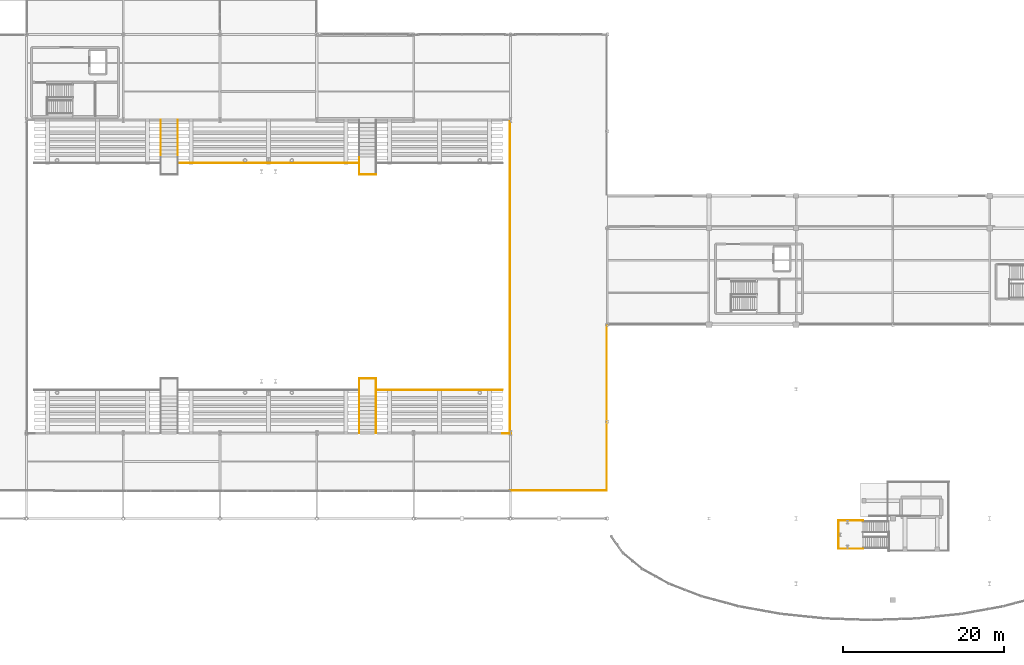
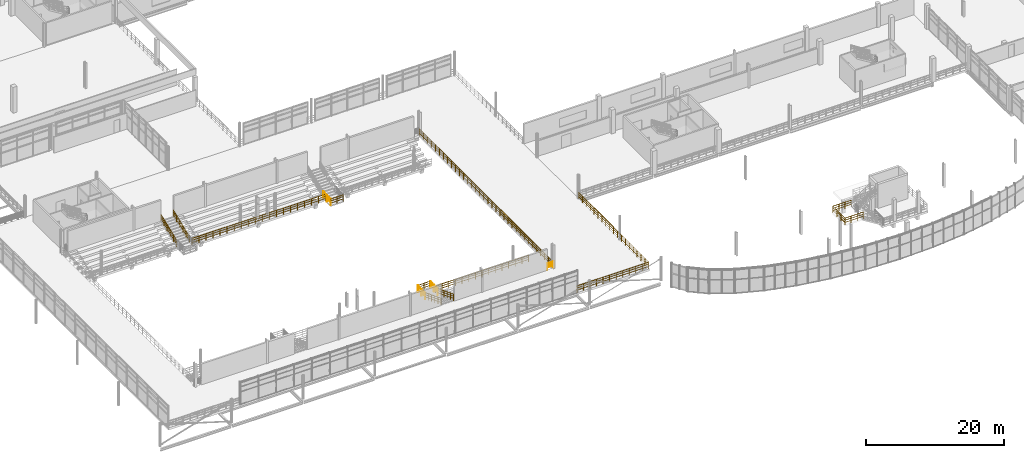
# One storey, part 78 of 89: 18 railings.
"""IFC4 building model written with IfcOpenShell, lengths in metres."""

from ifc_helpers import new_model, si_unit, direction, frame, origin, origin_2d, place, context, subcontext, project, spatial, circle, extrude, material, layer, layer_set, type_object, element, save


model = new_model("IFC4")

# Units and contexts
model_context = context("Model", 3, precision=1e-05, world=origin(), true_north=direction((0.0, 1.0)))
body_context = subcontext(model_context, "Body", "Model", "MODEL_VIEW")
ifc_project = project(units=[si_unit("LENGTHUNIT", "METRE"), si_unit("AREAUNIT", "SQUARE_METRE"), si_unit("VOLUMEUNIT", "CUBIC_METRE"), si_unit("PLANEANGLEUNIT", "RADIAN"), si_unit("MASSUNIT", "GRAM", prefix="KILO"), si_unit("THERMODYNAMICTEMPERATUREUNIT", "KELVIN"), si_unit("POWERUNIT", "WATT")], contexts=[model_context])

# Site, building, storey
site_placement = place(None, origin())
site = spatial("IfcSite", under=ifc_project, at=site_placement, CompositionType="ELEMENT")
building_placement = place(site_placement, origin())
building = spatial("IfcBuilding", under=site, at=building_placement, Name="Solmara Park Aquatics Centre", CompositionType="ELEMENT")
storey_placement = place(building_placement, frame((0.0, 0.0, 5.39990234375)))
storey = spatial("IfcBuildingStorey", under=building, at=storey_placement, Name="L01", CompositionType="ELEMENT", Elevation=5.39990234375)

# Railings
ifc_material_1 = material(Name="Toughened Glass and Stainless Steel Stand Guardrail", Category="steel")
ifc_layer_1 = layer(ifc_material_1, 0.06005859375, Name="Toughened Glass and Stainless Steel Stand Guardrail")
ifc_layer_set_1 = layer_set([ifc_layer_1], Name="Toughened Glass and Stainless Steel Stand Guardrail")
railing_type_1 = type_object("IfcRailingType", Name="ARC-RL-STD110", PredefinedType="GUARDRAIL", material=ifc_layer_set_1)
railing_1_placement = place(storey_placement, frame((43.39990234375, 56.64990234375, -1.7998046875)))
element("IfcRailing", 1, at=railing_1_placement, inside=storey, type_object=railing_type_1, Name="Lower North Stand Front Guardrail 3", PredefinedType="GUARDRAIL", context=body_context, shape_type="SweptSolid", body=[
    extrude(circle(Radius=0.02392578125, at=origin_2d()), frame((0.0, 0.0, 1.15576171875), z_axis=(1.0, 0.0, 0.0), x_axis=(0.0, 1.0, 0.0)), (0.0, 0.0, 1.0), 22.400146484375),
    extrude(circle(Radius=0.01416015625, at=origin_2d()), frame((0.0, 0.0, 0.4130859375), z_axis=(1.0, 0.0, 0.0), x_axis=(0.0, 1.0, 0.0)), (0.0, 0.0, 1.0), 22.400146484375),
    extrude(circle(Radius=0.01416015625, at=origin_2d()), frame((0.0, 0.0, 0.80224609375), z_axis=(1.0, 0.0, 0.0), x_axis=(0.0, 1.0, 0.0)), (0.0, 0.0, 1.0), 22.400146484375),
    extrude(circle(Radius=0.02099609375, at=origin_2d()), origin(), (0.0, 0.0, 1.0), 1.1318359375),
    extrude(circle(Radius=0.02099609375, at=origin_2d()), frame((1.178955078125, 0.0, 0.0)), (0.0, 0.0, 1.0), 1.1318359375),
    extrude(circle(Radius=0.02099609375, at=origin_2d()), frame((2.35791015625, 0.0, 0.0)), (0.0, 0.0, 1.0), 1.1318359375),
    extrude(circle(Radius=0.02099609375, at=origin_2d()), frame((3.536865234375, 0.0, 0.0)), (0.0, 0.0, 1.0), 1.1318359375),
    extrude(circle(Radius=0.02099609375, at=origin_2d()), frame((4.7158203125, 0.0, 0.0)), (0.0, 0.0, 1.0), 1.1318359375),
    extrude(circle(Radius=0.02099609375, at=origin_2d()), frame((5.894775390625, 0.0, 0.0)), (0.0, 0.0, 1.0), 1.1318359375),
    extrude(circle(Radius=0.02099609375, at=origin_2d()), frame((7.07373046875, 0.0, 0.0)), (0.0, 0.0, 1.0), 1.1318359375),
    extrude(circle(Radius=0.02099609375, at=origin_2d()), frame((8.252685546875, 0.0, 0.0)), (0.0, 0.0, 1.0), 1.1318359375),
    extrude(circle(Radius=0.02099609375, at=origin_2d()), frame((9.431640625, 0.0, 0.0)), (0.0, 0.0, 1.0), 1.1318359375),
    extrude(circle(Radius=0.02099609375, at=origin_2d()), frame((10.610595703125, 0.0, 0.0)), (0.0, 0.0, 1.0), 1.1318359375),
    extrude(circle(Radius=0.02099609375, at=origin_2d()), frame((11.78955078125, 0.0, 0.0)), (0.0, 0.0, 1.0), 1.1318359375),
    extrude(circle(Radius=0.02099609375, at=origin_2d()), frame((12.968505859375, 0.0, 0.0)), (0.0, 0.0, 1.0), 1.1318359375),
    extrude(circle(Radius=0.02099609375, at=origin_2d()), frame((14.1474609375, 0.0, 0.0)), (0.0, 0.0, 1.0), 1.1318359375),
    extrude(circle(Radius=0.02099609375, at=origin_2d()), frame((15.326416015625, 0.0, 0.0)), (0.0, 0.0, 1.0), 1.1318359375),
    extrude(circle(Radius=0.02099609375, at=origin_2d()), frame((16.50537109375, 0.0, 0.0)), (0.0, 0.0, 1.0), 1.1318359375),
    extrude(circle(Radius=0.02099609375, at=origin_2d()), frame((17.684326171875, 0.0, 0.0)), (0.0, 0.0, 1.0), 1.1318359375),
    extrude(circle(Radius=0.02099609375, at=origin_2d()), frame((18.86328125, 0.0, 0.0)), (0.0, 0.0, 1.0), 1.1318359375),
    extrude(circle(Radius=0.02099609375, at=origin_2d()), frame((20.042236328125, 0.0, 0.0)), (0.0, 0.0, 1.0), 1.1318359375),
    extrude(circle(Radius=0.02099609375, at=origin_2d()), frame((21.22119140625, 0.0, 0.0)), (0.0, 0.0, 1.0), 1.1318359375),
    extrude(circle(Radius=0.02099609375, at=origin_2d()), frame((22.400146484375, 0.0, 0.0)), (0.0, 0.0, 1.0), 1.1318359375),
])
railing_2_placement = place(storey_placement, frame((68.0, 28.550048828125, -1.7998046875)))
element("IfcRailing", 2, at=railing_2_placement, inside=storey, type_object=railing_type_1, Name="Lower South Stand Front Guardrail 6", PredefinedType="GUARDRAIL", context=body_context, shape_type="SweptSolid", body=[
    extrude(circle(Radius=0.02392578125, at=origin_2d()), frame((0.0, 0.0, 1.15576171875), z_axis=(1.0, 0.0, 0.0), x_axis=(0.0, 1.0, 0.0)), (0.0, 0.0, 1.0), 15.60009765625),
    extrude(circle(Radius=0.01416015625, at=origin_2d()), frame((0.0, 0.0, 0.4130859375), z_axis=(1.0, 0.0, 0.0), x_axis=(0.0, 1.0, 0.0)), (0.0, 0.0, 1.0), 15.60009765625),
    extrude(circle(Radius=0.01416015625, at=origin_2d()), frame((0.0, 0.0, 0.80224609375), z_axis=(1.0, 0.0, 0.0), x_axis=(0.0, 1.0, 0.0)), (0.0, 0.0, 1.0), 15.60009765625),
    extrude(circle(Radius=0.02099609375, at=origin_2d()), origin(), (0.0, 0.0, 1.0), 1.1318359375),
    extrude(circle(Radius=0.02099609375, at=origin_2d()), frame((1.1142578125, 0.0, 0.0)), (0.0, 0.0, 1.0), 1.1318359375),
    extrude(circle(Radius=0.02099609375, at=origin_2d()), frame((2.228515625, 0.0, 0.0)), (0.0, 0.0, 1.0), 1.1318359375),
    extrude(circle(Radius=0.02099609375, at=origin_2d()), frame((3.3427734375, 0.0, 0.0)), (0.0, 0.0, 1.0), 1.1318359375),
    extrude(circle(Radius=0.02099609375, at=origin_2d()), frame((4.457275390625, 0.0, 0.0)), (0.0, 0.0, 1.0), 1.1318359375),
    extrude(circle(Radius=0.02099609375, at=origin_2d()), frame((5.571533203125, 0.0, 0.0)), (0.0, 0.0, 1.0), 1.1318359375),
    extrude(circle(Radius=0.02099609375, at=origin_2d()), frame((6.685791015625, 0.0, 0.0)), (0.0, 0.0, 1.0), 1.1318359375),
    extrude(circle(Radius=0.02099609375, at=origin_2d()), frame((7.800048828125, 0.0, 0.0)), (0.0, 0.0, 1.0), 1.1318359375),
    extrude(circle(Radius=0.02099609375, at=origin_2d()), frame((8.914306640625, 0.0, 0.0)), (0.0, 0.0, 1.0), 1.1318359375),
    extrude(circle(Radius=0.02099609375, at=origin_2d()), frame((10.028564453125, 0.0, 0.0)), (0.0, 0.0, 1.0), 1.1318359375),
    extrude(circle(Radius=0.02099609375, at=origin_2d()), frame((11.142822265625, 0.0, 0.0)), (0.0, 0.0, 1.0), 1.1318359375),
    extrude(circle(Radius=0.02099609375, at=origin_2d()), frame((12.25732421875, 0.0, 0.0)), (0.0, 0.0, 1.0), 1.1318359375),
    extrude(circle(Radius=0.02099609375, at=origin_2d()), frame((13.37158203125, 0.0, 0.0)), (0.0, 0.0, 1.0), 1.1318359375),
    extrude(circle(Radius=0.02099609375, at=origin_2d()), frame((14.48583984375, 0.0, 0.0)), (0.0, 0.0, 1.0), 1.1318359375),
    extrude(circle(Radius=0.02099609375, at=origin_2d()), frame((15.60009765625, 0.0, 0.0)), (0.0, 0.0, 1.0), 1.1318359375),
])
railing_3_placement = place(storey_placement, frame((84.550048828125, 23.25, 0.0)))
element("IfcRailing", 3, at=railing_3_placement, inside=storey, type_object=railing_type_1, Name="Atrium & Gallery Void Guardrail 12", PredefinedType="GUARDRAIL", context=body_context, shape_type="SweptSolid", body=[
    extrude(circle(Radius=0.02392578125, at=origin_2d()), frame((0.0, 0.0, 1.15576171875), z_axis=(0.0, 1.0, 0.0), x_axis=(-1.0, 0.0, 0.0)), (0.0, 0.0, 1.0), 38.699951171875),
    extrude(circle(Radius=0.01416015625, at=origin_2d()), frame((0.0, 0.0, 0.4130859375), z_axis=(0.0, 1.0, 0.0), x_axis=(-1.0, 0.0, 0.0)), (0.0, 0.0, 1.0), 38.699951171875),
    extrude(circle(Radius=0.01416015625, at=origin_2d()), frame((0.0, 0.0, 0.80224609375), z_axis=(0.0, 1.0, 0.0), x_axis=(-1.0, 0.0, 0.0)), (0.0, 0.0, 1.0), 38.699951171875),
    extrude(circle(Radius=0.02099609375, at=origin_2d()), origin(), (0.0, 0.0, 1.0), 1.1318359375),
    extrude(circle(Radius=0.02099609375, at=origin_2d()), frame((0.0, 1.172607421875, 0.0)), (0.0, 0.0, 1.0), 1.1318359375),
    extrude(circle(Radius=0.02099609375, at=origin_2d()), frame((0.0, 2.345458984375, 0.0)), (0.0, 0.0, 1.0), 1.1318359375),
    extrude(circle(Radius=0.02099609375, at=origin_2d()), frame((0.0, 3.51806640625, 0.0)), (0.0, 0.0, 1.0), 1.1318359375),
    extrude(circle(Radius=0.02099609375, at=origin_2d()), frame((0.0, 4.69091796875, 0.0)), (0.0, 0.0, 1.0), 1.1318359375),
    extrude(circle(Radius=0.02099609375, at=origin_2d()), frame((0.0, 5.863525390625, 0.0)), (0.0, 0.0, 1.0), 1.1318359375),
    extrude(circle(Radius=0.02099609375, at=origin_2d()), frame((0.0, 7.036376953125, 0.0)), (0.0, 0.0, 1.0), 1.1318359375),
    extrude(circle(Radius=0.02099609375, at=origin_2d()), frame((0.0, 8.208984375, 0.0)), (0.0, 0.0, 1.0), 1.1318359375),
    extrude(circle(Radius=0.02099609375, at=origin_2d()), frame((0.0, 9.3818359375, 0.0)), (0.0, 0.0, 1.0), 1.1318359375),
    extrude(circle(Radius=0.02099609375, at=origin_2d()), frame((0.0, 10.554443359375, 0.0)), (0.0, 0.0, 1.0), 1.1318359375),
    extrude(circle(Radius=0.02099609375, at=origin_2d()), frame((0.0, 11.727294921875, 0.0)), (0.0, 0.0, 1.0), 1.1318359375),
    extrude(circle(Radius=0.02099609375, at=origin_2d()), frame((0.0, 12.89990234375, 0.0)), (0.0, 0.0, 1.0), 1.1318359375),
    extrude(circle(Radius=0.02099609375, at=origin_2d()), frame((0.0, 14.07275390625, 0.0)), (0.0, 0.0, 1.0), 1.1318359375),
    extrude(circle(Radius=0.02099609375, at=origin_2d()), frame((0.0, 15.245361328125, 0.0)), (0.0, 0.0, 1.0), 1.1318359375),
    extrude(circle(Radius=0.02099609375, at=origin_2d()), frame((0.0, 16.418212890625, 0.0)), (0.0, 0.0, 1.0), 1.1318359375),
    extrude(circle(Radius=0.02099609375, at=origin_2d()), frame((0.0, 17.5908203125, 0.0)), (0.0, 0.0, 1.0), 1.1318359375),
    extrude(circle(Radius=0.02099609375, at=origin_2d()), frame((0.0, 18.763671875, 0.0)), (0.0, 0.0, 1.0), 1.1318359375),
    extrude(circle(Radius=0.02099609375, at=origin_2d()), frame((0.0, 19.936279296875, 0.0)), (0.0, 0.0, 1.0), 1.1318359375),
    extrude(circle(Radius=0.02099609375, at=origin_2d()), frame((0.0, 21.109130859375, 0.0)), (0.0, 0.0, 1.0), 1.1318359375),
    extrude(circle(Radius=0.02099609375, at=origin_2d()), frame((0.0, 22.28173828125, 0.0)), (0.0, 0.0, 1.0), 1.1318359375),
    extrude(circle(Radius=0.02099609375, at=origin_2d()), frame((0.0, 23.45458984375, 0.0)), (0.0, 0.0, 1.0), 1.1318359375),
    extrude(circle(Radius=0.02099609375, at=origin_2d()), frame((0.0, 24.627197265625, 0.0)), (0.0, 0.0, 1.0), 1.1318359375),
    extrude(circle(Radius=0.02099609375, at=origin_2d()), frame((0.0, 25.800048828125, 0.0)), (0.0, 0.0, 1.0), 1.1318359375),
    extrude(circle(Radius=0.02099609375, at=origin_2d()), frame((0.0, 26.97265625, 0.0)), (0.0, 0.0, 1.0), 1.1318359375),
    extrude(circle(Radius=0.02099609375, at=origin_2d()), frame((0.0, 28.1455078125, 0.0)), (0.0, 0.0, 1.0), 1.1318359375),
    extrude(circle(Radius=0.02099609375, at=origin_2d()), frame((0.0, 29.318115234375, 0.0)), (0.0, 0.0, 1.0), 1.1318359375),
    extrude(circle(Radius=0.02099609375, at=origin_2d()), frame((0.0, 30.490966796875, 0.0)), (0.0, 0.0, 1.0), 1.1318359375),
    extrude(circle(Radius=0.02099609375, at=origin_2d()), frame((0.0, 31.66357421875, 0.0)), (0.0, 0.0, 1.0), 1.1318359375),
    extrude(circle(Radius=0.02099609375, at=origin_2d()), frame((0.0, 32.83642578125, 0.0)), (0.0, 0.0, 1.0), 1.1318359375),
    extrude(circle(Radius=0.02099609375, at=origin_2d()), frame((0.0, 34.009033203125, 0.0)), (0.0, 0.0, 1.0), 1.1318359375),
    extrude(circle(Radius=0.02099609375, at=origin_2d()), frame((0.0, 35.181884765625, 0.0)), (0.0, 0.0, 1.0), 1.1318359375),
    extrude(circle(Radius=0.02099609375, at=origin_2d()), frame((0.0, 36.3544921875, 0.0)), (0.0, 0.0, 1.0), 1.1318359375),
    extrude(circle(Radius=0.02099609375, at=origin_2d()), frame((0.0, 37.52734375, 0.0)), (0.0, 0.0, 1.0), 1.1318359375),
    extrude(circle(Radius=0.02099609375, at=origin_2d()), frame((0.0, 38.699951171875, 0.0)), (0.0, 0.0, 1.0), 1.1318359375),
])
railing_4_placement = place(storey_placement, frame((96.5400390625, 36.4736328125, 0.0)))
element("IfcRailing", 4, at=railing_4_placement, inside=storey, type_object=railing_type_1, Name="L01 Slab Edge Guardrail 040", PredefinedType="GUARDRAIL", context=body_context, shape_type="SweptSolid", body=[
    extrude(circle(Radius=0.02392578125, at=origin_2d()), frame((0.0, 0.0, 1.15576171875), z_axis=(0.0, -1.0, 0.0), x_axis=(1.0, 0.0, 0.0)), (0.0, 0.0, 1.0), 20.41357421875),
    extrude(circle(Radius=0.01416015625, at=origin_2d()), frame((0.0, 0.0, 0.4130859375), z_axis=(0.0, -1.0, 0.0), x_axis=(1.0, 0.0, 0.0)), (0.0, 0.0, 1.0), 20.41357421875),
    extrude(circle(Radius=0.01416015625, at=origin_2d()), frame((0.0, 0.0, 0.80224609375), z_axis=(0.0, -1.0, 0.0), x_axis=(1.0, 0.0, 0.0)), (0.0, 0.0, 1.0), 20.41357421875),
    extrude(circle(Radius=0.02099609375, at=origin_2d()), origin(), (0.0, 0.0, 1.0), 1.1318359375),
    extrude(circle(Radius=0.02099609375, at=origin_2d()), frame((0.0, -1.134033203125, 0.0)), (0.0, 0.0, 1.0), 1.1318359375),
    extrude(circle(Radius=0.02099609375, at=origin_2d()), frame((0.0, -2.26806640625, 0.0)), (0.0, 0.0, 1.0), 1.1318359375),
    extrude(circle(Radius=0.02099609375, at=origin_2d()), frame((0.0, -3.40234375, 0.0)), (0.0, 0.0, 1.0), 1.1318359375),
    extrude(circle(Radius=0.02099609375, at=origin_2d()), frame((0.0, -4.536376953125, 0.0)), (0.0, 0.0, 1.0), 1.1318359375),
    extrude(circle(Radius=0.02099609375, at=origin_2d()), frame((0.0, -5.67041015625, 0.0)), (0.0, 0.0, 1.0), 1.1318359375),
    extrude(circle(Radius=0.02099609375, at=origin_2d()), frame((0.0, -6.804443359375, 0.0)), (0.0, 0.0, 1.0), 1.1318359375),
    extrude(circle(Radius=0.02099609375, at=origin_2d()), frame((0.0, -7.938720703125, 0.0)), (0.0, 0.0, 1.0), 1.1318359375),
    extrude(circle(Radius=0.02099609375, at=origin_2d()), frame((0.0, -9.07275390625, 0.0)), (0.0, 0.0, 1.0), 1.1318359375),
    extrude(circle(Radius=0.02099609375, at=origin_2d()), frame((0.0, -10.206787109375, 0.0)), (0.0, 0.0, 1.0), 1.1318359375),
    extrude(circle(Radius=0.02099609375, at=origin_2d()), frame((0.0, -11.3408203125, 0.0)), (0.0, 0.0, 1.0), 1.1318359375),
    extrude(circle(Radius=0.02099609375, at=origin_2d()), frame((0.0, -12.474853515625, 0.0)), (0.0, 0.0, 1.0), 1.1318359375),
    extrude(circle(Radius=0.02099609375, at=origin_2d()), frame((0.0, -13.609130859375, 0.0)), (0.0, 0.0, 1.0), 1.1318359375),
    extrude(circle(Radius=0.02099609375, at=origin_2d()), frame((0.0, -14.7431640625, 0.0)), (0.0, 0.0, 1.0), 1.1318359375),
    extrude(circle(Radius=0.02099609375, at=origin_2d()), frame((0.0, -15.877197265625, 0.0)), (0.0, 0.0, 1.0), 1.1318359375),
    extrude(circle(Radius=0.02099609375, at=origin_2d()), frame((0.0, -17.01123046875, 0.0)), (0.0, 0.0, 1.0), 1.1318359375),
    extrude(circle(Radius=0.02099609375, at=origin_2d()), frame((0.0, -18.1455078125, 0.0)), (0.0, 0.0, 1.0), 1.1318359375),
    extrude(circle(Radius=0.02099609375, at=origin_2d()), frame((0.0, -19.279541015625, 0.0)), (0.0, 0.0, 1.0), 1.1318359375),
    extrude(circle(Radius=0.02099609375, at=origin_2d()), frame((0.0, -20.41357421875, 0.0)), (0.0, 0.0, 1.0), 1.1318359375),
])
railing_5_placement = place(storey_placement, frame((96.5400390625, 16.06005859375, 0.0)))
element("IfcRailing", 5, at=railing_5_placement, inside=storey, type_object=railing_type_1, Name="L01 Slab Edge Guardrail 041", PredefinedType="GUARDRAIL", context=body_context, shape_type="SweptSolid", body=[
    extrude(circle(Radius=0.02392578125, at=origin_2d()), frame((0.0, 0.0, 1.15576171875), z_axis=(-1.0, 0.0, 0.0), x_axis=(0.0, -1.0, 0.0)), (0.0, 0.0, 1.0), 12.0400390625),
    extrude(circle(Radius=0.01416015625, at=origin_2d()), frame((0.0, 0.0, 0.4130859375), z_axis=(-1.0, 0.0, 0.0), x_axis=(0.0, -1.0, 0.0)), (0.0, 0.0, 1.0), 12.0400390625),
    extrude(circle(Radius=0.01416015625, at=origin_2d()), frame((0.0, 0.0, 0.80224609375), z_axis=(-1.0, 0.0, 0.0), x_axis=(0.0, -1.0, 0.0)), (0.0, 0.0, 1.0), 12.0400390625),
    extrude(circle(Radius=0.02099609375, at=origin_2d()), origin(), (0.0, 0.0, 1.0), 1.1318359375),
    extrude(circle(Radius=0.02099609375, at=origin_2d()), frame((-1.094482421875, 0.0, 0.0)), (0.0, 0.0, 1.0), 1.1318359375),
    extrude(circle(Radius=0.02099609375, at=origin_2d()), frame((-2.189208984375, 0.0, 0.0)), (0.0, 0.0, 1.0), 1.1318359375),
    extrude(circle(Radius=0.02099609375, at=origin_2d()), frame((-3.28369140625, 0.0, 0.0)), (0.0, 0.0, 1.0), 1.1318359375),
    extrude(circle(Radius=0.02099609375, at=origin_2d()), frame((-4.378173828125, 0.0, 0.0)), (0.0, 0.0, 1.0), 1.1318359375),
    extrude(circle(Radius=0.02099609375, at=origin_2d()), frame((-5.47265625, 0.0, 0.0)), (0.0, 0.0, 1.0), 1.1318359375),
    extrude(circle(Radius=0.02099609375, at=origin_2d()), frame((-6.5673828125, 0.0, 0.0)), (0.0, 0.0, 1.0), 1.1318359375),
    extrude(circle(Radius=0.02099609375, at=origin_2d()), frame((-7.661865234375, 0.0, 0.0)), (0.0, 0.0, 1.0), 1.1318359375),
    extrude(circle(Radius=0.02099609375, at=origin_2d()), frame((-8.75634765625, 0.0, 0.0)), (0.0, 0.0, 1.0), 1.1318359375),
    extrude(circle(Radius=0.02099609375, at=origin_2d()), frame((-9.850830078125, 0.0, 0.0)), (0.0, 0.0, 1.0), 1.1318359375),
    extrude(circle(Radius=0.02099609375, at=origin_2d()), frame((-10.945556640625, 0.0, 0.0)), (0.0, 0.0, 1.0), 1.1318359375),
    extrude(circle(Radius=0.02099609375, at=origin_2d()), frame((-12.0400390625, 0.0, 0.0)), (0.0, 0.0, 1.0), 1.1318359375),
])
railing_6_placement = place(storey_placement, frame((83.60009765625, 23.139892578125, 0.0)))
element("IfcRailing", 6, at=railing_6_placement, inside=storey, type_object=railing_type_1, Name="L01 Slab Edge Guardrail 044", PredefinedType="GUARDRAIL", context=body_context, shape_type="SweptSolid", body=[
    extrude(circle(Radius=0.02392578125, at=origin_2d()), frame((0.0, 0.0, 1.15576171875), z_axis=(1.0, 0.0, 0.0), x_axis=(0.0, 1.0, 0.0)), (0.0, 0.0, 1.0), 1.059814453125),
    extrude(circle(Radius=0.01416015625, at=origin_2d()), frame((0.0, 0.0, 0.4130859375), z_axis=(1.0, 0.0, 0.0), x_axis=(0.0, 1.0, 0.0)), (0.0, 0.0, 1.0), 1.059814453125),
    extrude(circle(Radius=0.01416015625, at=origin_2d()), frame((0.0, 0.0, 0.80224609375), z_axis=(1.0, 0.0, 0.0), x_axis=(0.0, 1.0, 0.0)), (0.0, 0.0, 1.0), 1.059814453125),
    extrude(circle(Radius=0.02099609375, at=origin_2d()), origin(), (0.0, 0.0, 1.0), 1.1318359375),
    extrude(circle(Radius=0.02099609375, at=origin_2d()), frame((1.059814453125, 0.0, 0.0)), (0.0, 0.0, 1.0), 1.1318359375),
])
ifc_material_2 = material(Name="Brushed Stainless Steel Guardrail", Category="steel")
ifc_layer_2 = layer(ifc_material_2, 0.050048828125, Name="Brushed Stainless Steel Guardrail")
ifc_layer_set_2 = layer_set([ifc_layer_2], Name="Brushed Stainless Steel Guardrail")
railing_type_2 = type_object("IfcRailingType", Name="ARC-RL-STR110", PredefinedType="GUARDRAIL", material=ifc_layer_set_2)
railing_7_placement = place(storey_placement, frame((125.25, 8.85009765625, 2.10009765625)))
element("IfcRailing", 7, at=railing_7_placement, inside=storey, type_object=railing_type_2, Name="Diving Tower Platform Stair DT-02 Half-Landing Outer Guardrail", PredefinedType="GUARDRAIL", context=body_context, shape_type="SweptSolid", body=[
    extrude(circle(Radius=0.02392578125, at=origin_2d()), frame((0.0, 0.0, 1.15576171875), z_axis=(0.0, 1.0, 0.0), x_axis=(-1.0, 0.0, 0.0)), (0.0, 0.0, 1.0), 3.5),
    extrude(circle(Radius=0.01416015625, at=origin_2d()), frame((0.0, 0.0, 0.4130859375), z_axis=(0.0, 1.0, 0.0), x_axis=(-1.0, 0.0, 0.0)), (0.0, 0.0, 1.0), 3.5),
    extrude(circle(Radius=0.01416015625, at=origin_2d()), frame((0.0, 0.0, 0.80224609375), z_axis=(0.0, 1.0, 0.0), x_axis=(-1.0, 0.0, 0.0)), (0.0, 0.0, 1.0), 3.5),
    extrude(circle(Radius=0.02099609375, at=origin_2d()), origin(), (0.0, 0.0, 1.0), 1.1318359375),
    extrude(circle(Radius=0.02099609375, at=origin_2d()), frame((0.0, 1.166748046875, 0.0)), (0.0, 0.0, 1.0), 1.1318359375),
    extrude(circle(Radius=0.02099609375, at=origin_2d()), frame((0.0, 2.333251953125, 0.0)), (0.0, 0.0, 1.0), 1.1318359375),
    extrude(circle(Radius=0.02099609375, at=origin_2d()), frame((0.0, 3.5, 0.0)), (0.0, 0.0, 1.0), 1.1318359375),
])
for number, where, name in (
    (8, (125.25, 8.85009765625, 2.10009765625), "Diving Tower Platform Stair DT-02 Half-Landing Guardrail S"),
    (9, (125.25, 12.35009765625, 2.10009765625), "Diving Tower Platform Stair DT-02 Half-Landing Guardrail N"),
):
    element("IfcRailing", number, at=place(storey_placement, frame(where)), inside=storey, type_object=railing_type_2, Name=name, PredefinedType="GUARDRAIL", context=body_context, shape_type="SweptSolid", body=[
        extrude(circle(Radius=0.02392578125, at=origin_2d()), frame((0.0, 0.0, 1.15576171875), z_axis=(1.0, 0.0, 0.0), x_axis=(0.0, 1.0, 0.0)), (0.0, 0.0, 1.0), 3.080078125),
        extrude(circle(Radius=0.01416015625, at=origin_2d()), frame((0.0, 0.0, 0.4130859375), z_axis=(1.0, 0.0, 0.0), x_axis=(0.0, 1.0, 0.0)), (0.0, 0.0, 1.0), 3.080078125),
        extrude(circle(Radius=0.01416015625, at=origin_2d()), frame((0.0, 0.0, 0.80224609375), z_axis=(1.0, 0.0, 0.0), x_axis=(0.0, 1.0, 0.0)), (0.0, 0.0, 1.0), 3.080078125),
        extrude(circle(Radius=0.02099609375, at=origin_2d()), origin(), (0.0, 0.0, 1.0), 1.1318359375),
        extrude(circle(Radius=0.02099609375, at=origin_2d()), frame((1.026611328125, 0.0, 0.0)), (0.0, 0.0, 1.0), 1.1318359375),
        extrude(circle(Radius=0.02099609375, at=origin_2d()), frame((2.053466796875, 0.0, 0.0)), (0.0, 0.0, 1.0), 1.1318359375),
        extrude(circle(Radius=0.02099609375, at=origin_2d()), frame((3.080078125, 0.0, 0.0)), (0.0, 0.0, 1.0), 1.1318359375),
    ])
for number, where, name in (
    (10, (41.25, 57.35009765625, -1.7998046875), "Vomitory Stair VS-01 Flight Guardrail 1"),
    (11, (43.35009765625, 57.35009765625, -1.7998046875), "Vomitory Stair VS-01 Flight Guardrail 2"),
):
    element("IfcRailing", number, at=place(storey_placement, frame(where)), inside=storey, type_object=railing_type_2, Name=name, PredefinedType="GUARDRAIL", context=body_context, shape_type="SweptSolid", body=[
        extrude(circle(Radius=0.02392578125, at=origin_2d()), frame((0.0, 0.0, 1.15576171875), z_axis=(0.0, 0.932578732703, 0.360966629081), x_axis=(-1.0, 0.0, 0.0)), (0.0, 0.0, 1.0), 4.986083984375),
        extrude(circle(Radius=0.01416015625, at=origin_2d()), frame((0.0, 0.0, 0.4130859375), z_axis=(0.0, 0.932578732703, 0.360966629081), x_axis=(-1.0, 0.0, 0.0)), (0.0, 0.0, 1.0), 4.986083984375),
        extrude(circle(Radius=0.01416015625, at=origin_2d()), frame((0.0, 0.0, 0.80224609375), z_axis=(0.0, 0.932578732703, 0.360966629081), x_axis=(-1.0, 0.0, 0.0)), (0.0, 0.0, 1.0), 4.986083984375),
        extrude(circle(Radius=0.02099609375, at=origin_2d()), origin(), (0.0, 0.0, 1.0), 1.1318359375),
        extrude(circle(Radius=0.02099609375, at=origin_2d()), frame((0.0, 0.929931640625, 0.35986328125)), (0.0, 0.0, 1.0), 1.1318359375),
        extrude(circle(Radius=0.02099609375, at=origin_2d()), frame((0.0, 1.85986328125, 0.719970703125)), (0.0, 0.0, 1.0), 1.1318359375),
        extrude(circle(Radius=0.02099609375, at=origin_2d()), frame((0.0, 2.7900390625, 1.079833984375)), (0.0, 0.0, 1.0), 1.1318359375),
        extrude(circle(Radius=0.02099609375, at=origin_2d()), frame((0.0, 3.719970703125, 1.43994140625)), (0.0, 0.0, 1.0), 1.1318359375),
        extrude(circle(Radius=0.02099609375, at=origin_2d()), frame((0.0, 4.64990234375, 1.7998046875)), (0.0, 0.0, 1.0), 1.1318359375),
    ])
railing_8_placement = place(storey_placement, frame((65.85009765625, 55.27001953125, -1.7998046875)))
element("IfcRailing", 12, at=railing_8_placement, inside=storey, type_object=railing_type_2, Name="Vomitory Stair VS-02 Landing Side Guardrail 1", PredefinedType="GUARDRAIL", context=body_context, shape_type="SweptSolid", body=[
    extrude(circle(Radius=0.02392578125, at=origin_2d()), frame((0.0, 0.0, 1.15576171875), z_axis=(0.0, 1.0, 0.0), x_axis=(-1.0, 0.0, 0.0)), (0.0, 0.0, 1.0), 2.10009765625),
    extrude(circle(Radius=0.01416015625, at=origin_2d()), frame((0.0, 0.0, 0.4130859375), z_axis=(0.0, 1.0, 0.0), x_axis=(-1.0, 0.0, 0.0)), (0.0, 0.0, 1.0), 2.10009765625),
    extrude(circle(Radius=0.01416015625, at=origin_2d()), frame((0.0, 0.0, 0.80224609375), z_axis=(0.0, 1.0, 0.0), x_axis=(-1.0, 0.0, 0.0)), (0.0, 0.0, 1.0), 2.10009765625),
    extrude(circle(Radius=0.02099609375, at=origin_2d()), origin(), (0.0, 0.0, 1.0), 1.1318359375),
    extrude(circle(Radius=0.02099609375, at=origin_2d()), frame((0.0, 1.050048828125, 0.0)), (0.0, 0.0, 1.0), 1.1318359375),
    extrude(circle(Radius=0.02099609375, at=origin_2d()), frame((0.0, 2.10009765625, 0.0)), (0.0, 0.0, 1.0), 1.1318359375),
])
railing_9_placement = place(storey_placement, frame((65.85009765625, 55.22998046875, -1.7998046875)))
element("IfcRailing", 13, at=railing_9_placement, inside=storey, type_object=railing_type_2, Name="Vomitory Stair VS-02 Landing Front Guardrail", PredefinedType="GUARDRAIL", context=body_context, shape_type="SweptSolid", body=[
    extrude(circle(Radius=0.02392578125, at=origin_2d()), frame((0.0, 0.0, 1.15576171875), z_axis=(1.0, 0.0, 0.0), x_axis=(0.0, 1.0, 0.0)), (0.0, 0.0, 1.0), 2.099853515625),
    extrude(circle(Radius=0.01416015625, at=origin_2d()), frame((0.0, 0.0, 0.4130859375), z_axis=(1.0, 0.0, 0.0), x_axis=(0.0, 1.0, 0.0)), (0.0, 0.0, 1.0), 2.099853515625),
    extrude(circle(Radius=0.01416015625, at=origin_2d()), frame((0.0, 0.0, 0.80224609375), z_axis=(1.0, 0.0, 0.0), x_axis=(0.0, 1.0, 0.0)), (0.0, 0.0, 1.0), 2.099853515625),
    extrude(circle(Radius=0.02099609375, at=origin_2d()), origin(), (0.0, 0.0, 1.0), 1.1318359375),
    extrude(circle(Radius=0.02099609375, at=origin_2d()), frame((1.0498046875, 0.0, 0.0)), (0.0, 0.0, 1.0), 1.1318359375),
    extrude(circle(Radius=0.02099609375, at=origin_2d()), frame((2.099853515625, 0.0, 0.0)), (0.0, 0.0, 1.0), 1.1318359375),
])
railing_10_placement = place(storey_placement, frame((65.85009765625, 27.85009765625, -1.7998046875)))
element("IfcRailing", 14, at=railing_10_placement, inside=storey, type_object=railing_type_2, Name="Vomitory Stair VS-04 Flight Guardrail 1", PredefinedType="GUARDRAIL", context=body_context, shape_type="SweptSolid", body=[
    extrude(circle(Radius=0.02392578125, at=origin_2d()), frame((0.0, 0.0, 1.15576171875), z_axis=(0.0, -0.932585112195, 0.360950146852), x_axis=(1.0, 0.0, 0.0)), (0.0, 0.0, 1.0), 4.986328125),
    extrude(circle(Radius=0.01416015625, at=origin_2d()), frame((0.0, 0.0, 0.4130859375), z_axis=(0.0, -0.932585112195, 0.360950146852), x_axis=(1.0, 0.0, 0.0)), (0.0, 0.0, 1.0), 4.986328125),
    extrude(circle(Radius=0.01416015625, at=origin_2d()), frame((0.0, 0.0, 0.80224609375), z_axis=(0.0, -0.932585112195, 0.360950146852), x_axis=(1.0, 0.0, 0.0)), (0.0, 0.0, 1.0), 4.986328125),
    extrude(circle(Radius=0.02099609375, at=origin_2d()), origin(), (0.0, 0.0, 1.0), 1.1318359375),
    extrude(circle(Radius=0.02099609375, at=origin_2d()), frame((0.0, -0.929931640625, 0.35986328125)), (0.0, 0.0, 1.0), 1.1318359375),
    extrude(circle(Radius=0.02099609375, at=origin_2d()), frame((0.0, -1.860107421875, 0.719970703125)), (0.0, 0.0, 1.0), 1.1318359375),
    extrude(circle(Radius=0.02099609375, at=origin_2d()), frame((0.0, -2.7900390625, 1.079833984375)), (0.0, 0.0, 1.0), 1.1318359375),
    extrude(circle(Radius=0.02099609375, at=origin_2d()), frame((0.0, -3.72021484375, 1.43994140625)), (0.0, 0.0, 1.0), 1.1318359375),
    extrude(circle(Radius=0.02099609375, at=origin_2d()), frame((0.0, -4.650146484375, 1.7998046875)), (0.0, 0.0, 1.0), 1.1318359375),
])
railing_11_placement = place(storey_placement, frame((65.85009765625, 27.830078125, -1.7998046875)))
element("IfcRailing", 15, at=railing_11_placement, inside=storey, type_object=railing_type_2, Name="Vomitory Stair VS-04 Landing Side Guardrail 1", PredefinedType="GUARDRAIL", context=body_context, shape_type="SweptSolid", body=[
    extrude(circle(Radius=0.02392578125, at=origin_2d()), frame((0.0, 0.0, 1.15576171875), z_axis=(0.0, 1.0, 0.0), x_axis=(-1.0, 0.0, 0.0)), (0.0, 0.0, 1.0), 2.099853515625),
    extrude(circle(Radius=0.01416015625, at=origin_2d()), frame((0.0, 0.0, 0.4130859375), z_axis=(0.0, 1.0, 0.0), x_axis=(-1.0, 0.0, 0.0)), (0.0, 0.0, 1.0), 2.099853515625),
    extrude(circle(Radius=0.01416015625, at=origin_2d()), frame((0.0, 0.0, 0.80224609375), z_axis=(0.0, 1.0, 0.0), x_axis=(-1.0, 0.0, 0.0)), (0.0, 0.0, 1.0), 2.099853515625),
    extrude(circle(Radius=0.02099609375, at=origin_2d()), origin(), (0.0, 0.0, 1.0), 1.1318359375),
    extrude(circle(Radius=0.02099609375, at=origin_2d()), frame((0.0, 1.0498046875, 0.0)), (0.0, 0.0, 1.0), 1.1318359375),
    extrude(circle(Radius=0.02099609375, at=origin_2d()), frame((0.0, 2.099853515625, 0.0)), (0.0, 0.0, 1.0), 1.1318359375),
])
railing_12_placement = place(storey_placement, frame((67.949951171875, 27.85009765625, -1.7998046875)))
element("IfcRailing", 16, at=railing_12_placement, inside=storey, type_object=railing_type_2, Name="Vomitory Stair VS-04 Flight Guardrail 2", PredefinedType="GUARDRAIL", context=body_context, shape_type="SweptSolid", body=[
    extrude(circle(Radius=0.02392578125, at=origin_2d()), frame((0.0, 0.0, 1.15576171875), z_axis=(0.0, -0.932585112195, 0.360950146852), x_axis=(1.0, 0.0, 0.0)), (0.0, 0.0, 1.0), 4.986328125),
    extrude(circle(Radius=0.01416015625, at=origin_2d()), frame((0.0, 0.0, 0.4130859375), z_axis=(0.0, -0.932585112195, 0.360950146852), x_axis=(1.0, 0.0, 0.0)), (0.0, 0.0, 1.0), 4.986328125),
    extrude(circle(Radius=0.01416015625, at=origin_2d()), frame((0.0, 0.0, 0.80224609375), z_axis=(0.0, -0.932585112195, 0.360950146852), x_axis=(1.0, 0.0, 0.0)), (0.0, 0.0, 1.0), 4.986328125),
    extrude(circle(Radius=0.02099609375, at=origin_2d()), origin(), (0.0, 0.0, 1.0), 1.1318359375),
    extrude(circle(Radius=0.02099609375, at=origin_2d()), frame((0.0, -0.929931640625, 0.35986328125)), (0.0, 0.0, 1.0), 1.1318359375),
    extrude(circle(Radius=0.02099609375, at=origin_2d()), frame((0.0, -1.860107421875, 0.719970703125)), (0.0, 0.0, 1.0), 1.1318359375),
    extrude(circle(Radius=0.02099609375, at=origin_2d()), frame((0.0, -2.7900390625, 1.079833984375)), (0.0, 0.0, 1.0), 1.1318359375),
    extrude(circle(Radius=0.02099609375, at=origin_2d()), frame((0.0, -3.72021484375, 1.43994140625)), (0.0, 0.0, 1.0), 1.1318359375),
    extrude(circle(Radius=0.02099609375, at=origin_2d()), frame((0.0, -4.650146484375, 1.7998046875)), (0.0, 0.0, 1.0), 1.1318359375),
])
railing_13_placement = place(storey_placement, frame((67.949951171875, 27.830078125, -1.7998046875)))
element("IfcRailing", 17, at=railing_13_placement, inside=storey, type_object=railing_type_2, Name="Vomitory Stair VS-04 Landing Side Guardrail 2", PredefinedType="GUARDRAIL", context=body_context, shape_type="SweptSolid", body=[
    extrude(circle(Radius=0.02392578125, at=origin_2d()), frame((0.0, 0.0, 1.15576171875), z_axis=(0.0, 1.0, 0.0), x_axis=(-1.0, 0.0, 0.0)), (0.0, 0.0, 1.0), 2.099853515625),
    extrude(circle(Radius=0.01416015625, at=origin_2d()), frame((0.0, 0.0, 0.4130859375), z_axis=(0.0, 1.0, 0.0), x_axis=(-1.0, 0.0, 0.0)), (0.0, 0.0, 1.0), 2.099853515625),
    extrude(circle(Radius=0.01416015625, at=origin_2d()), frame((0.0, 0.0, 0.80224609375), z_axis=(0.0, 1.0, 0.0), x_axis=(-1.0, 0.0, 0.0)), (0.0, 0.0, 1.0), 2.099853515625),
    extrude(circle(Radius=0.02099609375, at=origin_2d()), origin(), (0.0, 0.0, 1.0), 1.1318359375),
    extrude(circle(Radius=0.02099609375, at=origin_2d()), frame((0.0, 1.0498046875, 0.0)), (0.0, 0.0, 1.0), 1.1318359375),
    extrude(circle(Radius=0.02099609375, at=origin_2d()), frame((0.0, 2.099853515625, 0.0)), (0.0, 0.0, 1.0), 1.1318359375),
])
railing_14_placement = place(storey_placement, frame((65.85009765625, 29.969970703125, -1.7998046875)))
element("IfcRailing", 18, at=railing_14_placement, inside=storey, type_object=railing_type_2, Name="Vomitory Stair VS-04 Landing Front Guardrail", PredefinedType="GUARDRAIL", context=body_context, shape_type="SweptSolid", body=[
    extrude(circle(Radius=0.02392578125, at=origin_2d()), frame((0.0, 0.0, 1.15576171875), z_axis=(1.0, 0.0, 0.0), x_axis=(0.0, 1.0, 0.0)), (0.0, 0.0, 1.0), 2.099853515625),
    extrude(circle(Radius=0.01416015625, at=origin_2d()), frame((0.0, 0.0, 0.4130859375), z_axis=(1.0, 0.0, 0.0), x_axis=(0.0, 1.0, 0.0)), (0.0, 0.0, 1.0), 2.099853515625),
    extrude(circle(Radius=0.01416015625, at=origin_2d()), frame((0.0, 0.0, 0.80224609375), z_axis=(1.0, 0.0, 0.0), x_axis=(0.0, 1.0, 0.0)), (0.0, 0.0, 1.0), 2.099853515625),
    extrude(circle(Radius=0.02099609375, at=origin_2d()), origin(), (0.0, 0.0, 1.0), 1.1318359375),
    extrude(circle(Radius=0.02099609375, at=origin_2d()), frame((1.0498046875, 0.0, 0.0)), (0.0, 0.0, 1.0), 1.1318359375),
    extrude(circle(Radius=0.02099609375, at=origin_2d()), frame((2.099853515625, 0.0, 0.0)), (0.0, 0.0, 1.0), 1.1318359375),
])

save(model, "model.ifc")
